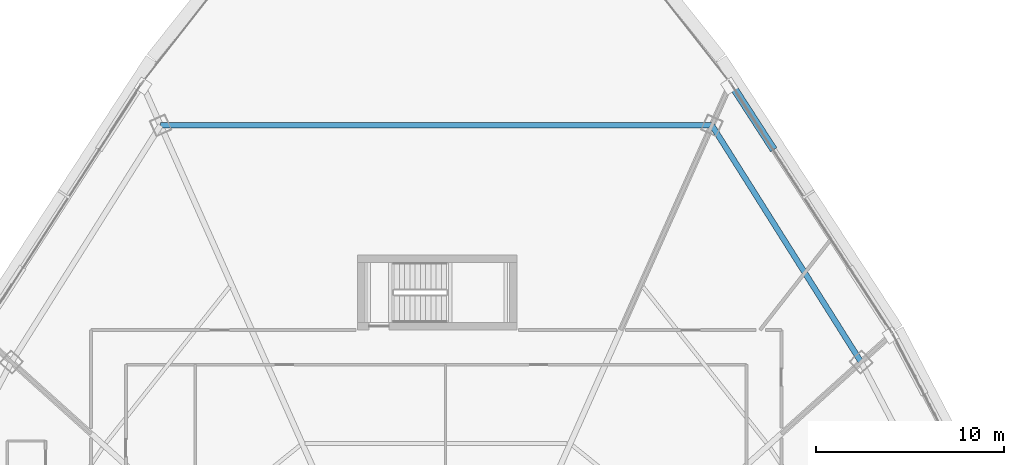
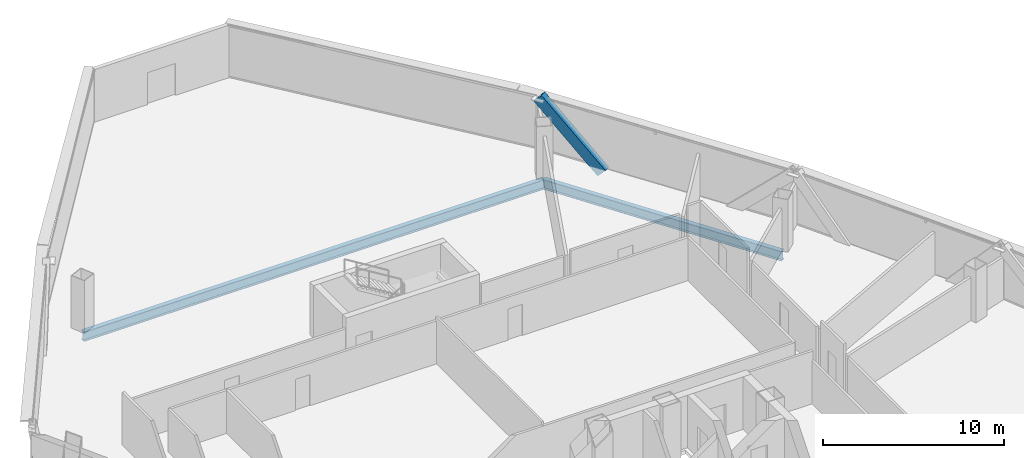
# One storey, part 21 of 40: 2 beams, 1 member.
"""IFC4 building model written with IfcOpenShell, lengths in metres."""

from ifc_helpers import new_model, si_unit, direction, frame, origin, origin_2d, place, context, subcontext, project, spatial, hollow_rectangle, i_section, extrude, source, transform, mapped, material, material_profile, profile_set, type_object, element, save


model = new_model("IFC4")

# Units and contexts
model_context = context("Model", 3, precision=1e-05, world=origin(), true_north=direction((0.0, 1.0)))
body_context = subcontext(model_context, "Body", "Model", "MODEL_VIEW")
ifc_project = project(units=[si_unit("LENGTHUNIT", "METRE"), si_unit("AREAUNIT", "SQUARE_METRE"), si_unit("VOLUMEUNIT", "CUBIC_METRE"), si_unit("PLANEANGLEUNIT", "RADIAN"), si_unit("MASSUNIT", "GRAM", prefix="KILO"), si_unit("THERMODYNAMICTEMPERATUREUNIT", "KELVIN"), si_unit("POWERUNIT", "WATT")], contexts=[model_context])

# Site, building, storey
site_placement = place(None, origin())
site = spatial("IfcSite", under=ifc_project, at=site_placement, CompositionType="ELEMENT")
building_placement = place(site_placement, origin())
building = spatial("IfcBuilding", under=site, at=building_placement, Name="Yunzhuo Pagoda Commons", CompositionType="ELEMENT")
storey_placement = place(building_placement, frame((0.0, 0.0, 188.56005859375)))
storey = spatial("IfcBuildingStorey", under=building, at=storey_placement, Name="L47", CompositionType="ELEMENT", Elevation=188.56005859375)

# Beams
ifc_material = material(Name="Structural steel Q355B", Category="steel")
ifc_material_profile_1 = material_profile(ifc_material, i_section(OverallWidth=0.300048828125, OverallDepth=0.64990234375, WebThickness=0.012939453125, FlangeThickness=0.02197265625, at=origin_2d()), Name="Structural steel Q355B")
ifc_profile_set_1 = profile_set([ifc_material_profile_1], Name="Structural steel Q355B")
beam_type = type_object("IfcBeamType", Name="B-RG2 Beam HN 650x300x13x22", PredefinedType="BEAM", material=ifc_profile_set_1)
shared_shape_1 = source(origin(), body_context, "Body", "SweptSolid", [
    extrude(i_section(OverallWidth=0.300048828125, OverallDepth=0.64990234375, WebThickness=0.012939453125, FlangeThickness=0.02197265625, at=origin_2d()), origin(), (0.0, 0.0, 1.0), 14.916015625),
])
beam_1_placement = place(storey_placement, frame((70.650634765625, 54.0947265625, -0.5849609375), z_axis=(-0.533092374013, 0.846057043449, 0.0), x_axis=(-0.846057043449, -0.533092374013, 0.0)))
element("IfcBeam", 1, at=beam_1_placement, inside=storey, type_object=beam_type, Name="L47 column-ring beam 7", PredefinedType="BEAM", context=body_context, shape_type="MappedRepresentation", body=[
    mapped(shared_shape_1, transform((0.0, 0.0, 0.0), scale=1.0)),
])
shared_shape_2 = source(origin(), body_context, "Body", "SweptSolid", [
    extrude(i_section(OverallWidth=0.300048828125, OverallDepth=0.64990234375, WebThickness=0.012939453125, FlangeThickness=0.02197265625, at=origin_2d()), origin(), (0.0, 0.0, 1.0), 29.39794921875),
])
beam_2_placement = place(storey_placement, frame((62.698974609375, 66.714599609375, -0.5849609375), z_axis=(-1.0, 0.0, 0.0), x_axis=(0.0, -1.0, 0.0)))
element("IfcBeam", 2, at=beam_2_placement, inside=storey, type_object=beam_type, Name="L47 column-ring beam 8", PredefinedType="BEAM", context=body_context, shape_type="MappedRepresentation", body=[
    mapped(shared_shape_2, transform((0.0, 0.0, 0.0), scale=1.0)),
])

# Member
ifc_material_profile_2 = material_profile(ifc_material, hollow_rectangle(XDim=0.39990234375, YDim=0.719970703125, WallThickness=0.02392578125, at=origin_2d()), Name="Structural steel Q355B")
ifc_profile_set_2 = profile_set([ifc_material_profile_2], Name="Structural steel Q355B")
member_type = type_object("IfcMemberType", Name="M-DL2 Brace BOX 720x400x24", PredefinedType="BRACE", material=ifc_profile_set_2)
shared_shape_3 = source(origin(), body_context, "Body", "SweptSolid", [
    extrude(hollow_rectangle(XDim=0.39990234375, YDim=0.719970703125, WallThickness=0.02392578125, at=origin_2d()), origin(), (0.0, 0.0, 1.0), 5.4990234375),
])
member_placement = place(storey_placement, frame((65.8583984375, 65.623779296875, -0.260009765625), z_axis=(-0.39260104704, 0.606904479593, 0.691036446588), x_axis=(-0.839634419332, -0.543151950999, 0.0)))
element("IfcMember", 3, at=member_placement, inside=storey, type_object=member_type, Name="L47 facade diamond brace F2.3R", PredefinedType="BRACE", context=body_context, shape_type="MappedRepresentation", body=[
    mapped(shared_shape_3, transform((0.0, 0.0, 0.0), scale=1.0)),
])

save(model, "model.ifc")
